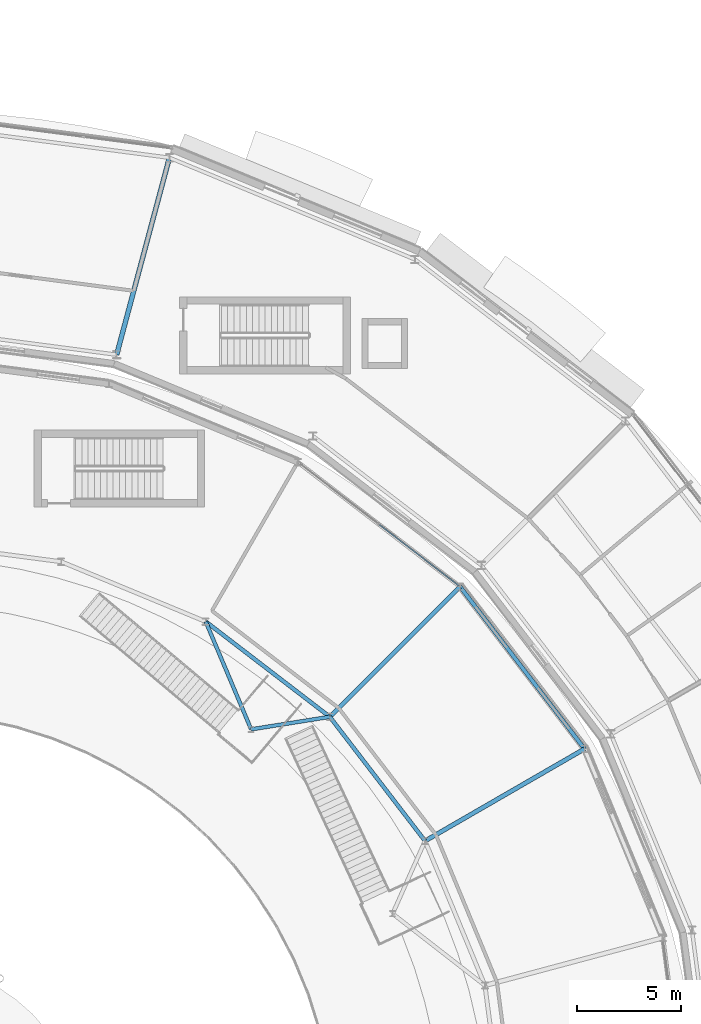
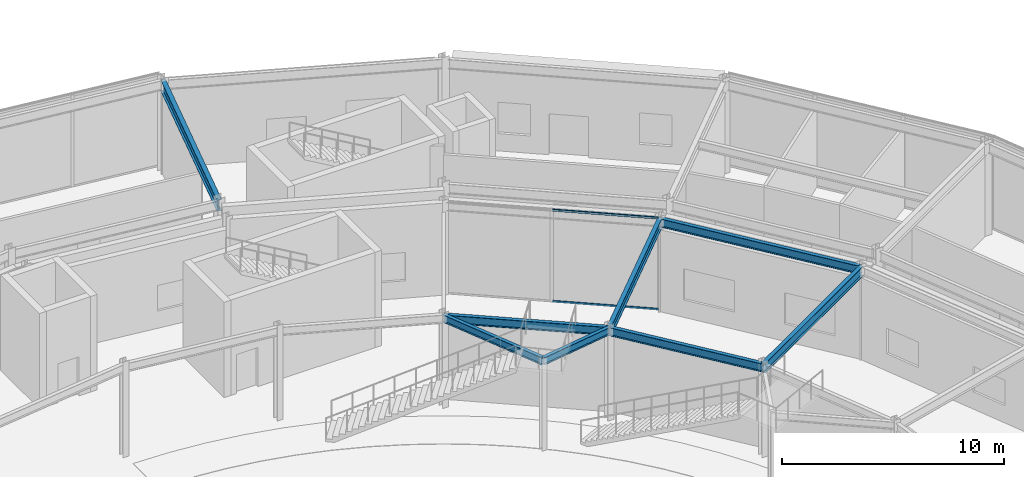
# One storey, part 83 of 168: 8 beams, 2 members, 1 element without a shape of its own.
"""IFC4 building model written with IfcOpenShell, lengths in metres."""

from ifc_helpers import new_model, si_unit, direction, frame, origin, origin_2d, place, context, subcontext, project, spatial, hollow_rectangle, i_section, extrude, material, material_profile, profile_set, type_object, element, aggregate, save


model = new_model("IFC4")

# Units and contexts
model_context = context("Model", 3, precision=1e-05, world=origin(), true_north=direction((0.0, 1.0)))
body_context = subcontext(model_context, "Body", "Model", "MODEL_VIEW")
ifc_project = project(units=[si_unit("LENGTHUNIT", "METRE"), si_unit("AREAUNIT", "SQUARE_METRE"), si_unit("VOLUMEUNIT", "CUBIC_METRE"), si_unit("PLANEANGLEUNIT", "RADIAN"), si_unit("MASSUNIT", "GRAM", prefix="KILO")], contexts=[model_context])

# Site, building, storey
site_placement = place(None, origin())
site = spatial("IfcSite", under=ifc_project, at=site_placement, CompositionType="ELEMENT")
building_placement = place(site_placement, origin())
building = spatial("IfcBuilding", under=site, at=building_placement, Name="Almandine Court Research Institute", CompositionType="ELEMENT")
storey_placement = place(building_placement, origin())
storey = spatial("IfcBuildingStorey", under=building, at=storey_placement, Name="L00", CompositionType="ELEMENT", Elevation=0.0)

# Beams
ifc_material_1 = material(Name="Steel ASTM A992 Grade 50", Category="steel")
ifc_material_profile_1 = material_profile(ifc_material_1, i_section(OverallWidth=0.18994140625, OverallDepth=0.45703125, WebThickness=0.009033203125, FlangeThickness=0.014892578125, at=origin_2d()), Name="W460x74")
ifc_profile_set_1 = profile_set([ifc_material_profile_1], Name="Steel ASTM A992 Grade 50")
beam_type_1 = type_object("IfcBeamType", Name="Beam-B-01", PredefinedType="BEAM", material=ifc_profile_set_1)
beam_1_placement = place(storey_placement, frame((119.60595703125, 74.824951171875, 4.841064453125), z_axis=(-0.608711534396, 0.793391623282, 0.0), x_axis=(-0.793391623282, -0.608711534396, 0.0)))
element("IfcBeam", 1, at=beam_1_placement, inside=storey, type_object=beam_type_1, Name="L00 Atrium Outer Ring Beam", PredefinedType="BEAM", context=body_context, shape_type="SweptSolid", body=[
    extrude(i_section(OverallWidth=0.18994140625, OverallDepth=0.45703125, WebThickness=0.009033203125, FlangeThickness=0.014892578125, at=origin_2d()), origin(), (0.0, 0.0, 1.0), 9.828857421875),
])
for number, where, z_axis, x_axis, name in (
    (2, (111.94189453125, 70.39990234375, 4.841064453125), (-0.608738941187, 0.793370595297, 0.0), (-0.793370595297, -0.608738941187, 0.0), "L00 Atrium Gallery Edge Beam"),
    (3, (107.364990234375, 76.364990234375, 4.841064453125), (-0.793370595297, 0.608738941187, 0.0), (-0.608738941187, -0.793370595297, 0.0), "L00 Atrium Gallery Edge Beam"),
):
    element("IfcBeam", number, at=place(storey_placement, frame(where, z_axis=z_axis, x_axis=x_axis)), inside=storey, type_object=beam_type_1, Name=name, PredefinedType="BEAM", context=body_context, shape_type="SweptSolid", body=[
        extrude(i_section(OverallWidth=0.18994140625, OverallDepth=0.45703125, WebThickness=0.009033203125, FlangeThickness=0.014892578125, at=origin_2d()), origin(), (0.0, 0.0, 1.0), 7.5185546875),
    ])
ifc_material_profile_2 = material_profile(ifc_material_1, i_section(OverallWidth=0.178955078125, OverallDepth=0.409912109375, WebThickness=0.009033203125, FlangeThickness=0.013916015625, at=origin_2d()), Name="W410x67")
ifc_profile_set_2 = profile_set([ifc_material_profile_2], Name="Steel ASTM A992 Grade 50")
beam_type_2 = type_object("IfcBeamType", Name="Beam-B-02", PredefinedType="JOIST", material=ifc_profile_set_2)
beam_2_placement = place(storey_placement, frame((103.583984375, 75.763916015625, 4.864990234375), z_axis=(0.987598514971, 0.157000551679, 0.0), x_axis=(-0.157000551679, 0.987598514971, 0.0)))
element("IfcBeam", 4, at=beam_2_placement, inside=storey, type_object=beam_type_2, Name="L00 Atrium Stair 2 Landing Support Beam 1", PredefinedType="JOIST", context=body_context, shape_type="SweptSolid", body=[
    extrude(i_section(OverallWidth=0.178955078125, OverallDepth=0.409912109375, WebThickness=0.009033203125, FlangeThickness=0.013916015625, at=origin_2d()), origin(), (0.0, 0.0, 1.0), 3.828369140625),
])
beam_3_placement = place(storey_placement, frame((103.583984375, 75.763916015625, 4.864990234375), z_axis=(-0.388643456673, 0.921388226311, 0.0), x_axis=(-0.921388226311, -0.388643456673, 0.0)))
element("IfcBeam", 5, at=beam_3_placement, inside=storey, type_object=beam_type_2, Name="L00 Atrium Stair 2 Landing Support Beam 2", PredefinedType="JOIST", context=body_context, shape_type="SweptSolid", body=[
    extrude(i_section(OverallWidth=0.178955078125, OverallDepth=0.409912109375, WebThickness=0.009033203125, FlangeThickness=0.013916015625, at=origin_2d()), origin(), (0.0, 0.0, 1.0), 5.619873046875),
])
ifc_material_profile_3 = material_profile(ifc_material_1, i_section(OverallWidth=0.22998046875, OverallDepth=0.616943359375, WebThickness=0.012939453125, FlangeThickness=0.02197265625, at=origin_2d()), Name="W610x140")
ifc_profile_set_3 = profile_set([ifc_material_profile_3], Name="Steel ASTM A992 Grade 50")
beam_type_3 = type_object("IfcBeamType", Name="Beam-G-02", PredefinedType="BEAM", material=ifc_profile_set_3)
beam_4_placement = place(storey_placement, frame((97.1201171875, 93.76806640625, 4.760986328125), z_axis=(0.258774274024, 0.965937821551, 0.0), x_axis=(-0.965937821551, 0.258774274024, 0.0)))
element("IfcBeam", 6, at=beam_4_placement, inside=storey, type_object=beam_type_3, Name="L00 Drum Radial Girder 05", PredefinedType="BEAM", context=body_context, shape_type="SweptSolid", body=[
    extrude(i_section(OverallWidth=0.22998046875, OverallDepth=0.616943359375, WebThickness=0.012939453125, FlangeThickness=0.02197265625, at=origin_2d()), origin(), (0.0, 0.0, 1.0), 9.799560546875),
])
ifc_material_profile_4 = material_profile(ifc_material_1, i_section(OverallWidth=0.2109375, OverallDepth=0.5390625, WebThickness=0.011962890625, FlangeThickness=0.01904296875, at=origin_2d()), Name="W530x109")
ifc_profile_set_4 = profile_set([ifc_material_profile_4], Name="Steel ASTM A992 Grade 50")
beam_type_4 = type_object("IfcBeamType", Name="Beam-G-04", PredefinedType="BEAM", material=ifc_profile_set_4)
beam_5_placement = place(storey_placement, frame((111.94189453125, 70.39990234375, 4.801025390625), z_axis=(0.866015604063, 0.50001697323, 0.0), x_axis=(-0.50001697323, 0.866015604063, 0.0)))
element("IfcBeam", 7, at=beam_5_placement, inside=storey, type_object=beam_type_4, Name="L00 Atrium Gallery Radial Girder", PredefinedType="BEAM", context=body_context, shape_type="SweptSolid", body=[
    extrude(i_section(OverallWidth=0.2109375, OverallDepth=0.5390625, WebThickness=0.011962890625, FlangeThickness=0.01904296875, at=origin_2d()), origin(), (0.0, 0.0, 1.0), 8.849853515625),
])
beam_6_placement = place(storey_placement, frame((107.364990234375, 76.364990234375, 4.801025390625), z_axis=(0.707106781187, 0.707106781187, 0.0), x_axis=(-0.707106781187, 0.707106781187, 0.0)))
element("IfcBeam", 8, at=beam_6_placement, inside=storey, type_object=beam_type_4, Name="L00 Atrium Gallery Radial Girder", PredefinedType="BEAM", context=body_context, shape_type="SweptSolid", body=[
    extrude(i_section(OverallWidth=0.2109375, OverallDepth=0.5390625, WebThickness=0.011962890625, FlangeThickness=0.01904296875, at=origin_2d()), origin(), (0.0, 0.0, 1.0), 8.850341796875),
])

# Curtain wall, members
ifc_material_2 = material(Name="Unitised Curtain Wall Framing and Solar Glazing", Category="glass")
curtain_wall_type = type_object("IfcCurtainWallType", Name="CW-CWG-23", PredefinedType="USERDEFINED", material=ifc_material_2)
curtain_wall_placement = place(storey_placement, origin())
curtain_wall = element("IfcCurtainWall", 9, at=curtain_wall_placement, inside=storey, type_object=curtain_wall_type, Name="L00 Interaction Atrium Perimeter Curtain Wall 03", ObjectType="UNITISED GLAZING", PredefinedType="USERDEFINED")
ifc_material_3 = material(Name="Anodised Aluminium AW-6063-T6", Category="aluminium")
ifc_material_profile_5 = material_profile(ifc_material_3, hollow_rectangle(XDim=0.06005859375, YDim=0.110107421875, WallThickness=0.00390625, at=origin_2d()), Name="ALU RHS 60x110x4")
ifc_profile_set_5 = profile_set([ifc_material_profile_5], Name="Anodised Aluminium AW-6063-T6")
member_type = type_object("IfcMemberType", Name="CWTrn-60x110", PredefinedType="NOTDEFINED", material=ifc_profile_set_5)
member_1_placement = place(storey_placement, frame((109.747802734375, 85.59619140625, 0.030029296875), z_axis=(0.793376443338, -0.608731319349, 0.0), x_axis=(0.608731319349, 0.793376443338, 0.0)))
member_1 = element("IfcMember", 10, at=member_1_placement, type_object=member_type, Name="CWG-23 transom 2.1", ObjectType="TRANSOM", PredefinedType="USERDEFINED", context=body_context, shape_type="SweptSolid", body=[
    extrude(hollow_rectangle(XDim=0.06005859375, YDim=0.110107421875, WallThickness=0.00390625, at=origin_2d()), origin(), (0.0, 0.0, 1.0), 4.82080078125),
])
member_2_placement = place(storey_placement, frame((109.747802734375, 85.59619140625, 5.0400390625), z_axis=(0.793376443338, -0.608731319349, 0.0), x_axis=(0.608731319349, 0.793376443338, 0.0)))
member_2 = element("IfcMember", 11, at=member_2_placement, type_object=member_type, Name="CWG-23 transom 2.2", ObjectType="TRANSOM", PredefinedType="USERDEFINED", context=body_context, shape_type="SweptSolid", body=[
    extrude(hollow_rectangle(XDim=0.06005859375, YDim=0.110107421875, WallThickness=0.00390625, at=origin_2d()), origin(), (0.0, 0.0, 1.0), 4.82080078125),
])
aggregate(curtain_wall, [member_1, member_2])

save(model, "model.ifc")
